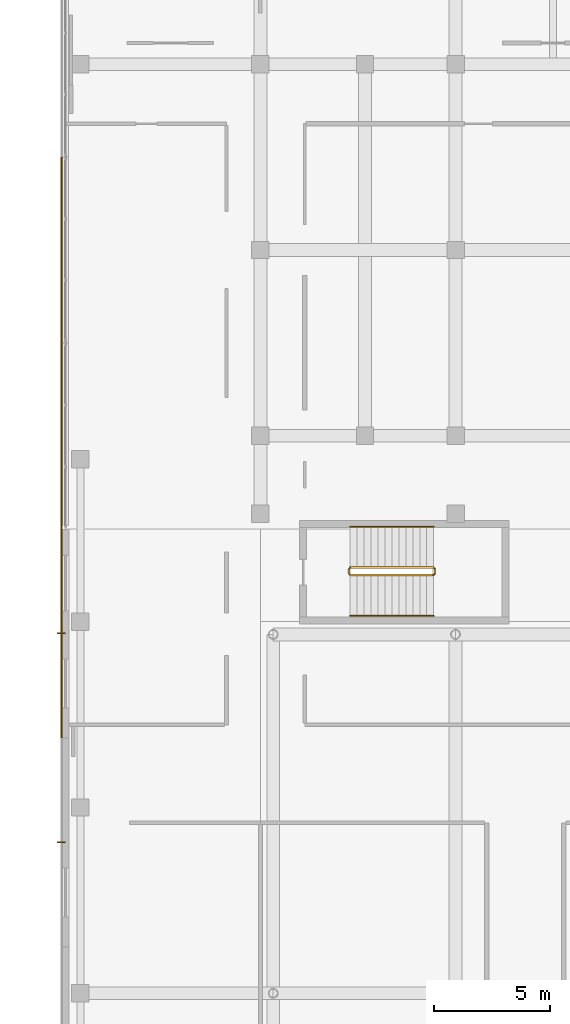
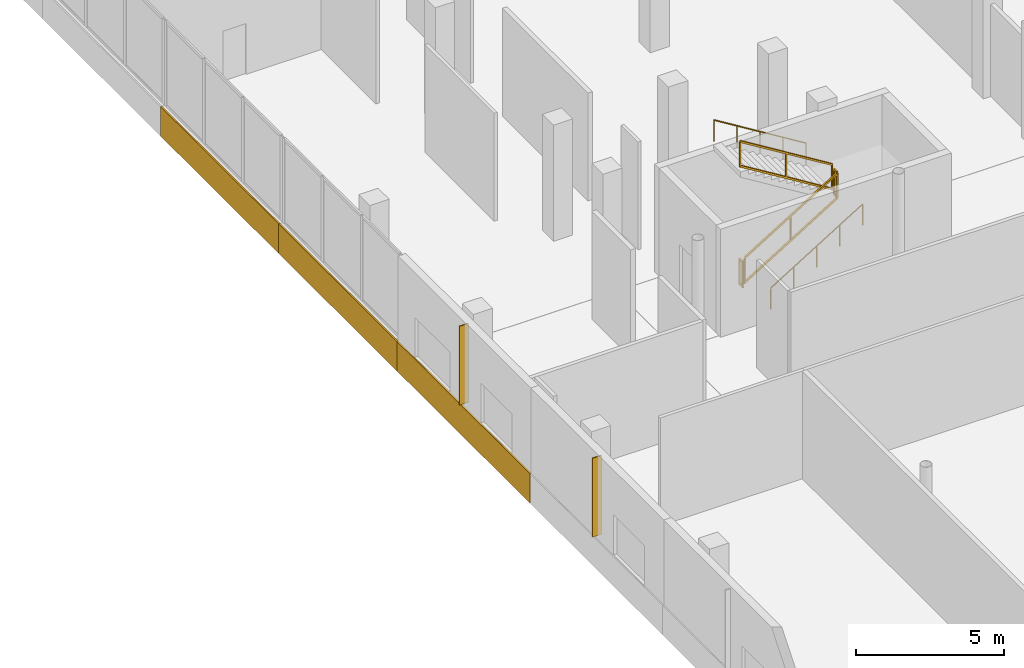
# One storey, part 149 of 155: 6 railings, 3 coverings, 2 shading devices.
"""IFC4 building model written with IfcOpenShell, lengths in metres."""

import ifcopenshell
import ifcopenshell.guid

model = None  # the IFC model being written
_history = None  # IfcOwnerHistory: only IFC2X3 demands one
_inside = {}  # id of a spatial element -> (the spatial element, [elements in it])
_under = {}  # id of a project, library or spatial element -> (it, [spatial elements below it])
_declared = {}  # id of a project -> (the project, [libraries it declares])
_typed = {}  # id of a type object -> (the type object, [elements of that type])
_made_of = {}  # id of a material, layer set ... -> (it, [elements and type objects made of it])


def new_model(schema):
    """Start an empty IFC model of exactly this schema.

    Asked for "IFC4X3", IfcOpenShell would pick the latest addendum, in which some entities
    have other attributes; the version numbers below select the first issue.
    IFC2X3 requires an IfcOwnerHistory on every rooted entity: one is made here for all.
    """
    global model, _history
    if schema == "IFC4X3":
        model = ifcopenshell.file(schema_version=(4, 3, 0, 0))
    else:
        model = ifcopenshell.file(schema=schema)
    _inside.clear()
    _under.clear()
    _declared.clear()
    _typed.clear()
    _made_of.clear()
    _history = None
    if model.schema == "IFC2X3":
        org = make("IfcOrganization", Name="unknown")
        user = make(
            "IfcPersonAndOrganization",
            ThePerson=make("IfcPerson", FamilyName="unknown"),
            TheOrganization=org,
        )
        app = make(
            "IfcApplication",
            ApplicationDeveloper=org,
            Version="unknown",
            ApplicationFullName="unknown",
            ApplicationIdentifier="unknown",
        )
        _history = make(
            "IfcOwnerHistory",
            OwningUser=user,
            OwningApplication=app,
            ChangeAction="ADDED",
            CreationDate=0,
        )
    return model


def make(cls, **values):
    """One entity of the class cls with the attributes given. An attribute that is None is left unset."""
    return model.create_entity(
        cls, **{name: value for name, value in values.items() if value is not None}
    )


def rooted(cls, **values):
    """An entity with a GlobalId (a new one), such as an element, a storey or a relation."""
    return make(cls, GlobalId=ifcopenshell.guid.new(), OwnerHistory=_history, **values)


def si_unit(unit_type, name, prefix=None):
    """IfcSIUnit, for example si_unit("LENGTHUNIT", "METRE", prefix="MILLI")."""
    return make("IfcSIUnit", UnitType=unit_type, Prefix=prefix, Name=name)


def assignment(units):
    """IfcUnitAssignment: the units of a project."""
    return None if units is None else make("IfcUnitAssignment", Units=units)


def point(xyz):
    """IfcCartesianPoint."""
    return None if xyz is None else make("IfcCartesianPoint", Coordinates=xyz)


def direction(xyz):
    """IfcDirection."""
    return None if xyz is None else make("IfcDirection", DirectionRatios=xyz)


def frame(location, z_axis=None, x_axis=None):
    """IfcAxis2Placement3D, a coordinate frame: its origin and axes. An axis left out is left unset."""
    return make(
        "IfcAxis2Placement3D",
        Location=point(location),
        Axis=direction(z_axis),
        RefDirection=direction(x_axis),
    )


def frame_2d(location, x_axis=None):
    """IfcAxis2Placement2D, a coordinate frame in the plane: its origin and x axis."""
    return make(
        "IfcAxis2Placement2D", Location=point(location), RefDirection=direction(x_axis)
    )


def origin():
    """The frame at (0, 0, 0) with its axes left unset."""
    return frame((0.0, 0.0, 0.0))


def origin_2d():
    """The frame at (0, 0) in the plane with its x axis left unset."""
    return frame_2d((0.0, 0.0))


def place(relative_to, where):
    """IfcLocalPlacement: puts the frame where relative to a parent placement (None: the world)."""
    return make(
        "IfcLocalPlacement", PlacementRelTo=relative_to, RelativePlacement=where
    )


def context(
    kind, dimensions, precision=None, world=None, true_north=None, identifier=None
):
    """IfcGeometricRepresentationContext, for example the 3D "Model" context."""
    return make(
        "IfcGeometricRepresentationContext",
        ContextIdentifier=identifier,
        ContextType=kind,
        CoordinateSpaceDimension=dimensions,
        Precision=precision,
        WorldCoordinateSystem=world,
        TrueNorth=true_north,
    )


def subcontext(parent, identifier, kind, view, scale=None):
    """IfcGeometricRepresentationSubContext, for example "Body" below "Model"."""
    return make(
        "IfcGeometricRepresentationSubContext",
        ContextIdentifier=identifier,
        ContextType=kind,
        ParentContext=parent,
        TargetScale=scale,
        TargetView=view,
    )


def project(units=None, contexts=None):
    """IfcProject with its units and contexts."""
    return rooted(
        "IfcProject",
        Name="project",
        RepresentationContexts=contexts,
        UnitsInContext=assignment(units),
    )


def spatial(cls, under=None, at=None, **own):
    """A site, building, storey or space (cls), placed at a placement, below another one or the project."""
    s = rooted(cls, ObjectPlacement=at, **own)
    if under is not None:
        _under.setdefault(under.id(), (under, []))[1].append(s)
    return s


def profile(cls, at=None, kind="AREA", **sizes):
    """A parametric profile (cls). Its sizes go by their IFC names, for example OverallWidth=200.0."""
    return make(cls, ProfileType=kind, Position=at, **sizes)


def rectangle(**sizes):
    """IfcRectangleProfileDef."""
    return profile("IfcRectangleProfileDef", **sizes)


def circle(**sizes):
    """IfcCircleProfileDef."""
    return profile("IfcCircleProfileDef", **sizes)


def extrude(swept, where, along, depth):
    """IfcExtrudedAreaSolid: the profile swept, set in the frame where, extruded along a direction by depth."""
    return make(
        "IfcExtrudedAreaSolid",
        SweptArea=swept,
        Position=where,
        ExtrudedDirection=direction(along),
        Depth=depth,
    )


def shape(context_of_items, identifier, shape_type, items):
    """IfcShapeRepresentation: the items that make up one representation, for example the "Body"."""
    return make(
        "IfcShapeRepresentation",
        ContextOfItems=context_of_items,
        RepresentationIdentifier=identifier,
        RepresentationType=shape_type,
        Items=items,
    )


def material(Name=None, Category=None):
    """IfcMaterial."""
    return make("IfcMaterial", Name=Name, Category=Category)


def layer(
    of_material, thickness, ventilated=None, Name=None, Category=None, Priority=None
):
    """IfcMaterialLayer: one layer of a wall or slab, of a material (None: an air gap)."""
    return make(
        "IfcMaterialLayer",
        Material=of_material,
        LayerThickness=thickness,
        IsVentilated=ventilated,
        Name=Name,
        Category=Category,
        Priority=Priority,
    )


def layer_set(layers, Name=None):
    """IfcMaterialLayerSet."""
    return make("IfcMaterialLayerSet", MaterialLayers=layers, LayerSetName=Name)


def made_of(thing, what):
    """Note that an element or type object is made of a material, layer set ...; save() writes the relation."""
    if what is not None:
        _made_of.setdefault(what.id(), (what, []))[1].append(thing)
    return thing


def type_object(cls, material=None, **own):
    """A type object (cls), such as IfcWallType, which elements share."""
    return made_of(rooted(cls, **own), material)


def element(
    cls,
    number,
    at=None,
    inside=None,
    cuts=None,
    type_object=None,
    material=None,
    context=None,
    identifier="Body",
    shape_type=None,
    held_by="IfcProductDefinitionShape",
    body=None,
    shapes=None,
    **own,
):
    """One element of the class cls, such as IfcWall. Its Tag is "e" and its number.

    at: its placement. inside: the storey or other place that contains it. cuts: it is an
    opening in that element (IfcRelVoidsElement). A single representation is given by context,
    identifier, shape_type and body (its items); several are given by shapes. held_by: the class
    of the entity that holds the representations. save() writes the other relations.
    """
    e = rooted(cls, Tag="e%d" % number, ObjectPlacement=at, **own)
    if body is not None:
        shapes = [shape(context, identifier, shape_type, body)]
    if shapes is not None:
        e.Representation = make(held_by, Representations=shapes)
    if inside is not None:
        _inside.setdefault(inside.id(), (inside, []))[1].append(e)
    if cuts is not None:
        rooted(
            "IfcRelVoidsElement", RelatingBuildingElement=cuts, RelatedOpeningElement=e
        )
    if type_object is not None:
        _typed.setdefault(type_object.id(), (type_object, []))[1].append(e)
    return made_of(e, material)


def aggregate(whole, parts):
    """IfcRelAggregates: a whole, such as a stair, and the parts it consists of."""
    return rooted("IfcRelAggregates", RelatingObject=whole, RelatedObjects=parts)


def save(model, path):
    """Write the relations noted so far, then the file.

    IfcRelAggregates (storeys below a building ...), IfcRelContainedInSpatialStructure (elements
    in a storey), IfcRelDefinesByType, IfcRelAssociatesMaterial and IfcRelDeclares: one each for
    every whole, place, type object, material and project.
    """
    for whole, parts in _under.values():
        aggregate(whole, parts)
    for where, things in _inside.values():
        rooted(
            "IfcRelContainedInSpatialStructure",
            RelatedElements=things,
            RelatingStructure=where,
        )
    for kind, things in _typed.values():
        rooted("IfcRelDefinesByType", RelatedObjects=things, RelatingType=kind)
    for what, things in _made_of.values():
        rooted("IfcRelAssociatesMaterial", RelatedObjects=things, RelatingMaterial=what)
    for by, libraries in _declared.values():
        rooted("IfcRelDeclares", RelatingContext=by, RelatedDefinitions=libraries)
    model.write(path)


model = new_model("IFC4")

# Units and contexts
model_context = context("Model", 3, precision=1e-05, world=origin(), true_north=direction((0.0, 1.0)))
body_context = subcontext(model_context, "Body", "Model", "MODEL_VIEW")
ifc_project = project(units=[si_unit("LENGTHUNIT", "METRE"), si_unit("AREAUNIT", "SQUARE_METRE"), si_unit("VOLUMEUNIT", "CUBIC_METRE"), si_unit("PLANEANGLEUNIT", "RADIAN"), si_unit("MASSUNIT", "GRAM", prefix="KILO")], contexts=[model_context])

# Site, building, storey
site_placement = place(None, origin())
site = spatial("IfcSite", under=ifc_project, at=site_placement, CompositionType="ELEMENT")
building_placement = place(site_placement, origin())
building = spatial("IfcBuilding", under=site, at=building_placement, Name="Selatvlak General Hospital", CompositionType="ELEMENT")
storey_placement = place(building_placement, frame((0.0, 0.0, 10.199951171875)))
storey = spatial("IfcBuildingStorey", under=building, at=storey_placement, Name="L02", CompositionType="ELEMENT", Elevation=10.199951171875)

# Coverings
ifc_material_1 = material(Name="White Bauhaus fair-faced cladding panel")
ifc_layer_1 = layer(ifc_material_1, 0.054931640625, Name="White Bauhaus fair-faced cladding panel")
ifc_layer_set_1 = layer_set([ifc_layer_1], Name="White Bauhaus fair-faced cladding panel")
covering_type = type_object("IfcCoveringType", Name="COV-WHT1", PredefinedType="CLADDING", material=ifc_layer_set_1)
covering_placement = place(storey_placement, frame((14.235107421875, 83.4990234375, -0.27978515625), z_axis=(0.0, 0.0, 1.0), x_axis=(0.0, 1.0, 0.0)))
element("IfcCovering", 1, at=covering_placement, inside=storey, type_object=covering_type, Name="L02 Bauhaus horizontal white spandrel band 0137", PredefinedType="CLADDING", context=body_context, shape_type="SweptSolid", body=[
    extrude(rectangle(XDim=9.0, YDim=0.054931640625, at=origin_2d()), origin(), (0.0, 0.0, 1.0), 1.219970703125),
])
for number, where, z_axis, x_axis, name in (
    (2, (14.235107421875, 91.9990234375, -0.27978515625), (0.0, 0.0, 1.0), (0.0, 1.0, 0.0), "L02 Bauhaus horizontal white spandrel band 0138"),
    (3, (14.235107421875, 99.9990234375, -0.27978515625), (0.0, 0.0, 1.0), (0.0, 1.0, 0.0), "L02 Bauhaus horizontal white spandrel band 0139"),
):
    element("IfcCovering", number, at=place(storey_placement, frame(where, z_axis=z_axis, x_axis=x_axis)), inside=storey, type_object=covering_type, Name=name, PredefinedType="CLADDING", context=body_context, shape_type="SweptSolid", body=[
        extrude(rectangle(XDim=8.0, YDim=0.054931640625, at=origin_2d()), origin(), (0.0, 0.0, 1.0), 1.219970703125),
    ])

# Railings
ifc_material_2 = material(Name="Stainless steel 316 stair guard", Category="steel")
railing_type_1 = type_object("IfcRailingType", Name="RAIL-STG", PredefinedType="GUARDRAIL", material=ifc_material_2)
railing_1_placement = place(storey_placement, frame((26.659912109375, 86.010009765625, 0.1845703125)))
element("IfcRailing", 4, at=railing_1_placement, inside=storey, type_object=railing_type_1, Name="L02 ST-07 stair guard 1", PredefinedType="GUARDRAIL", context=body_context, shape_type="SweptSolid", body=[
    extrude(rectangle(XDim=0.068115234375, YDim=0.068115234375, at=origin_2d()), frame((0.00244140625, 0.0, 1.067626953125), z_axis=(0.851644435552, 0.0, 0.524119981868), x_axis=(0.0, 1.0, 0.0)), (0.0, 0.0, 1.0), 4.221435546875),
    extrude(rectangle(XDim=0.068115234375, YDim=0.068115234375, at=origin_2d()), frame((0.00244140625, 0.0, 0.050537109375), z_axis=(0.851644435552, 0.0, 0.524119981868), x_axis=(0.0, 1.0, 0.0)), (0.0, 0.0, 1.0), 4.221435546875),
    extrude(rectangle(XDim=0.055908203125, YDim=0.055908203125, at=origin_2d()), origin(), (0.0, 0.0, 1.0), 1.029052734375),
    extrude(rectangle(XDim=0.055908203125, YDim=0.055908203125, at=origin_2d()), frame((1.800048828125, 0.0, 1.10791015625)), (0.0, 0.0, 1.0), 1.029052734375),
    extrude(rectangle(XDim=0.055908203125, YDim=0.055908203125, at=origin_2d()), frame((3.60009765625, 0.0, 2.215576171875)), (0.0, 0.0, 1.0), 1.029052734375),
])
railing_2_placement = place(storey_placement, frame((30.31005859375, 86.06005859375, 2.400146484375)))
element("IfcRailing", 5, at=railing_2_placement, inside=storey, type_object=railing_type_1, Name="L02 ST-07 stair guard 2", PredefinedType="GUARDRAIL", context=body_context, shape_type="SweptSolid", body=[
    extrude(rectangle(XDim=0.068115234375, YDim=0.068115234375, at=origin_2d()), frame((0.0, 0.0029296875, 1.06591796875), z_axis=(0.0, 1.0, 0.0), x_axis=(-1.0, 0.0, 0.0)), (0.0, 0.0, 1.0), 0.214111328125),
    extrude(rectangle(XDim=0.068115234375, YDim=0.068115234375, at=origin_2d()), frame((0.0, 0.0029296875, 0.049072265625), z_axis=(0.0, 1.0, 0.0), x_axis=(-1.0, 0.0, 0.0)), (0.0, 0.0, 1.0), 0.214111328125),
    extrude(rectangle(XDim=0.055908203125, YDim=0.055908203125, at=origin_2d()), origin(), (0.0, 0.0, 1.0), 1.029052734375),
    extrude(rectangle(XDim=0.055908203125, YDim=0.055908203125, at=origin_2d()), frame((0.0, 0.219970703125, 0.0)), (0.0, 0.0, 1.0), 1.029052734375),
])
railing_3_placement = place(storey_placement, frame((30.260009765625, 86.330078125, 2.584716796875)))
element("IfcRailing", 6, at=railing_3_placement, inside=storey, type_object=railing_type_1, Name="L02 ST-07 stair guard 3", PredefinedType="GUARDRAIL", context=body_context, shape_type="SweptSolid", body=[
    extrude(rectangle(XDim=0.068115234375, YDim=0.068115234375, at=origin_2d()), frame((-0.00244140625, 0.0, 1.067626953125), z_axis=(-0.85167021472, 0.0, 0.524078090897), x_axis=(0.0, -1.0, 0.0)), (0.0, 0.0, 1.0), 4.22119140625),
    extrude(rectangle(XDim=0.068115234375, YDim=0.068115234375, at=origin_2d()), frame((-0.00244140625, 0.0, 0.050537109375), z_axis=(-0.85167021472, 0.0, 0.524078090897), x_axis=(0.0, -1.0, 0.0)), (0.0, 0.0, 1.0), 4.22119140625),
    extrude(rectangle(XDim=0.055908203125, YDim=0.055908203125, at=origin_2d()), origin(), (0.0, 0.0, 1.0), 1.029052734375),
    extrude(rectangle(XDim=0.055908203125, YDim=0.055908203125, at=origin_2d()), frame((-1.800048828125, 0.0, 1.107666015625)), (0.0, 0.0, 1.0), 1.029052734375),
    extrude(rectangle(XDim=0.055908203125, YDim=0.055908203125, at=origin_2d()), frame((-3.60009765625, 0.0, 2.21533203125)), (0.0, 0.0, 1.0), 1.029052734375),
])
railing_4_placement = place(storey_placement, frame((26.610107421875, 86.06005859375, 0.0)))
element("IfcRailing", 7, at=railing_4_placement, inside=storey, type_object=railing_type_1, Name="L02 ST-07 stair guard 4", PredefinedType="GUARDRAIL", context=body_context, shape_type="SweptSolid", body=[
    extrude(rectangle(XDim=0.068115234375, YDim=0.068115234375, at=origin_2d()), frame((0.0, 0.0029296875, 1.06591796875), z_axis=(0.0, 1.0, 0.0), x_axis=(-1.0, 0.0, 0.0)), (0.0, 0.0, 1.0), 0.214111328125),
    extrude(rectangle(XDim=0.068115234375, YDim=0.068115234375, at=origin_2d()), frame((0.0, 0.0029296875, 0.049072265625), z_axis=(0.0, 1.0, 0.0), x_axis=(-1.0, 0.0, 0.0)), (0.0, 0.0, 1.0), 0.214111328125),
    extrude(rectangle(XDim=0.055908203125, YDim=0.055908203125, at=origin_2d()), origin(), (0.0, 0.0, 1.0), 1.029052734375),
    extrude(rectangle(XDim=0.055908203125, YDim=0.055908203125, at=origin_2d()), frame((0.0, 0.219970703125, 0.0)), (0.0, 0.0, 1.0), 1.029052734375),
])
ifc_material_3 = material(Name="Stainless steel 316 handrail", Category="steel")
railing_type_2 = type_object("IfcRailingType", Name="RAIL-STH", PredefinedType="HANDRAIL", material=ifc_material_3)
railing_5_placement = place(storey_placement, frame((26.659912109375, 84.25, 0.1845703125)))
element("IfcRailing", 8, at=railing_5_placement, inside=storey, type_object=railing_type_2, Name="L02 ST-07 stair handrail 1", PredefinedType="HANDRAIL", context=body_context, shape_type="SweptSolid", body=[
    extrude(circle(Radius=0.02392578125, at=origin_2d()), frame((0.00244140625, 0.0, 0.87744140625), z_axis=(0.851644435552, 0.0, 0.524119981868), x_axis=(0.0, 1.0, 0.0)), (0.0, 0.0, 1.0), 4.221435546875),
    extrude(circle(Radius=0.02099609375, at=origin_2d()), origin(), (0.0, 0.0, 1.0), 0.848876953125),
    extrude(circle(Radius=0.02099609375, at=origin_2d()), frame((0.89990234375, 0.0, 0.553955078125)), (0.0, 0.0, 1.0), 0.848876953125),
    extrude(circle(Radius=0.02099609375, at=origin_2d()), frame((1.800048828125, 0.0, 1.10791015625)), (0.0, 0.0, 1.0), 0.848876953125),
    extrude(circle(Radius=0.02099609375, at=origin_2d()), frame((2.7001953125, 0.0, 1.66162109375)), (0.0, 0.0, 1.0), 0.848876953125),
    extrude(circle(Radius=0.02099609375, at=origin_2d()), frame((3.60009765625, 0.0, 2.215576171875)), (0.0, 0.0, 1.0), 0.848876953125),
])
railing_6_placement = place(storey_placement, frame((30.260009765625, 88.090087890625, 2.584716796875)))
element("IfcRailing", 9, at=railing_6_placement, inside=storey, type_object=railing_type_2, Name="L02 ST-07 stair handrail 2", PredefinedType="HANDRAIL", context=body_context, shape_type="SweptSolid", body=[
    extrude(circle(Radius=0.02392578125, at=origin_2d()), frame((-0.00244140625, 0.0, 0.87744140625), z_axis=(-0.85167021472, 0.0, 0.524078090897), x_axis=(0.0, -1.0, 0.0)), (0.0, 0.0, 1.0), 4.22119140625),
    extrude(circle(Radius=0.02099609375, at=origin_2d()), origin(), (0.0, 0.0, 1.0), 0.848876953125),
    extrude(circle(Radius=0.02099609375, at=origin_2d()), frame((-0.89990234375, 0.0, 0.5537109375)), (0.0, 0.0, 1.0), 0.848876953125),
    extrude(circle(Radius=0.02099609375, at=origin_2d()), frame((-1.800048828125, 0.0, 1.107666015625)), (0.0, 0.0, 1.0), 0.848876953125),
    extrude(circle(Radius=0.02099609375, at=origin_2d()), frame((-2.7001953125, 0.0, 1.66162109375)), (0.0, 0.0, 1.0), 0.848876953125),
    extrude(circle(Radius=0.02099609375, at=origin_2d()), frame((-3.60009765625, 0.0, 2.21533203125)), (0.0, 0.0, 1.0), 0.848876953125),
])

# Shading devices
ifc_material_4 = material(Name="Anodised aluminium brise-soleil fin", Category="aluminium")
ifc_layer_2 = layer(ifc_material_4, 0.044921875, Name="Anodised aluminium brise-soleil fin", Category="aluminium")
ifc_layer_set_2 = layer_set([ifc_layer_2], Name="Anodised aluminium brise-soleil fin")
shading_device_type = type_object("IfcShadingDeviceType", Name="SHD-FIN1", PredefinedType="USERDEFINED", material=ifc_layer_set_2)
for number, where, z_axis, x_axis, name in (
    (10, (14.22802734375, 74.4990234375, 1.10009765625), (0.0, 0.0, 1.0), (-1.0, 0.0, 0.0), "L02 monsoon vertical brise-soleil fin 285"),
    (11, (14.22802734375, 83.4990234375, 1.10009765625), (0.0, 0.0, 1.0), (-1.0, 0.0, 0.0), "L02 monsoon vertical brise-soleil fin 286"),
):
    element("IfcShadingDevice", number, at=place(storey_placement, frame(where, z_axis=z_axis, x_axis=x_axis)), inside=storey, type_object=shading_device_type, Name=name, ObjectType="SUNSHADE", PredefinedType="USERDEFINED", context=body_context, shape_type="SweptSolid", body=[
        extrude(rectangle(XDim=0.35009765625, YDim=0.044921875, at=origin_2d()), origin(), (0.0, 0.0, 1.0), 3.260009765625),
    ])

save(model, "model.ifc")
